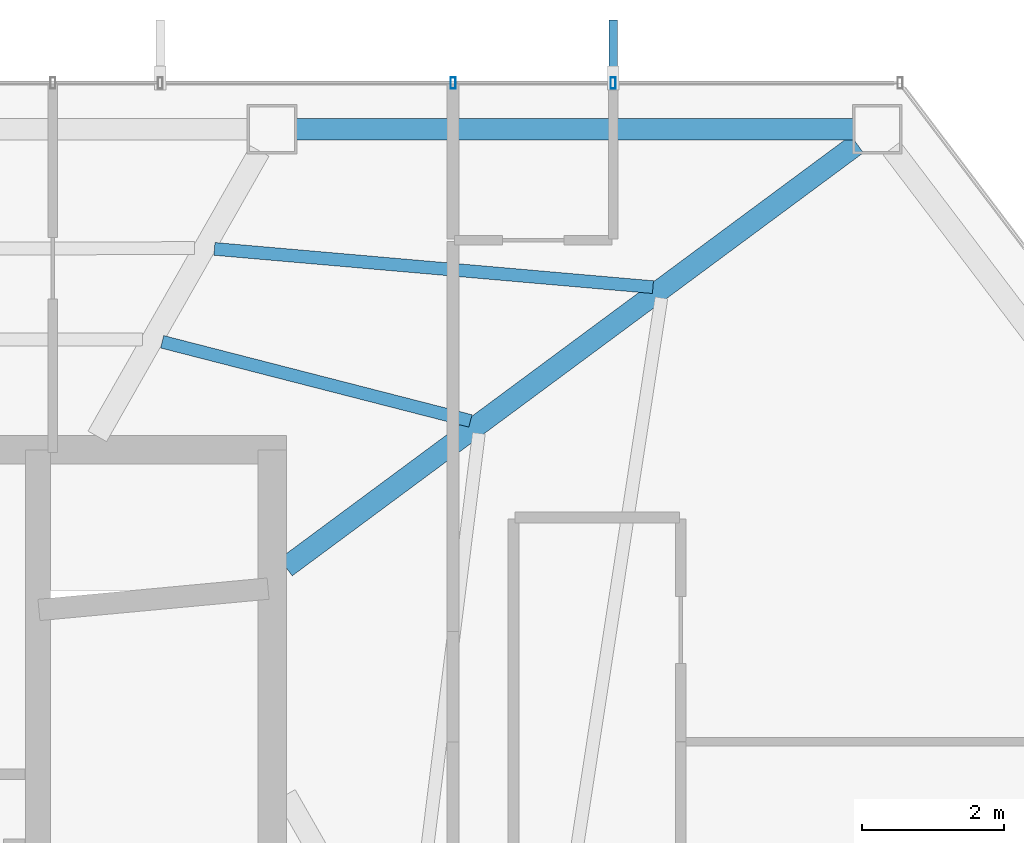
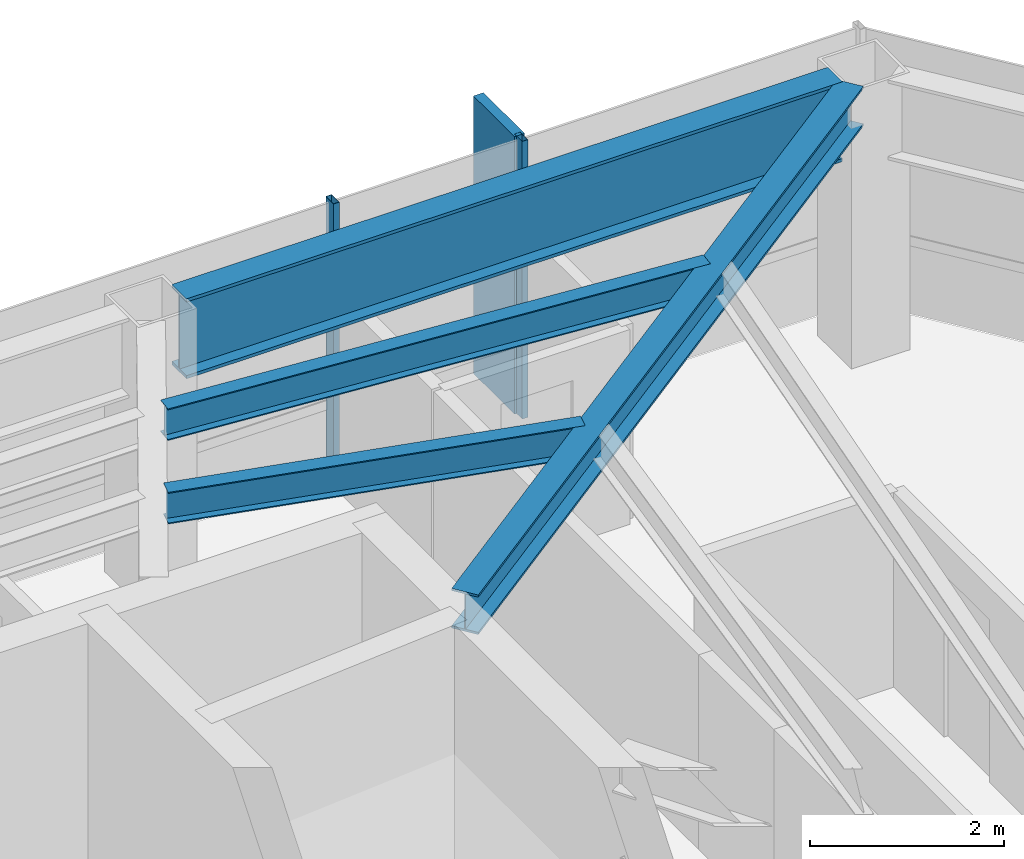
# One storey, part 22 of 28: 4 beams, 3 members, 1 element without a shape of its own.
"""IFC4 building model written with IfcOpenShell, lengths in metres."""

from ifc_helpers import new_model, si_unit, direction, frame, origin, origin_2d, place, context, subcontext, project, spatial, rectangle, hollow_rectangle, i_section, extrude, material, layer, layer_set, material_profile, profile_set, type_object, element, aggregate, save


model = new_model("IFC4")

# Units and contexts
model_context = context("Model", 3, precision=1e-05, world=origin(), true_north=direction((0.0, 1.0)))
body_context = subcontext(model_context, "Body", "Model", "MODEL_VIEW")
ifc_project = project(units=[si_unit("LENGTHUNIT", "METRE"), si_unit("AREAUNIT", "SQUARE_METRE"), si_unit("VOLUMEUNIT", "CUBIC_METRE"), si_unit("PLANEANGLEUNIT", "RADIAN"), si_unit("MASSUNIT", "GRAM", prefix="KILO")], contexts=[model_context])

# Site, building, storey
site_placement = place(None, origin())
site = spatial("IfcSite", under=ifc_project, at=site_placement, CompositionType="ELEMENT")
building_placement = place(site_placement, origin())
building = spatial("IfcBuilding", under=site, at=building_placement, Name="Zarrinselat Tower", CompositionType="ELEMENT")
storey_placement = place(building_placement, frame((0.0, 0.0, 187.0)))
storey = spatial("IfcBuildingStorey", under=building, at=storey_placement, Name="L46", CompositionType="ELEMENT", Elevation=187.0)

# Beams
ifc_material_1 = material(Name="Steel S355J2", Category="steel")
ifc_material_profile_1 = material_profile(ifc_material_1, i_section(OverallWidth=0.300048828125, OverallDepth=0.5, WebThickness=0.014404296875, FlangeThickness=0.028076171875, at=origin_2d()), Name="HEB 500")
ifc_profile_set_1 = profile_set([ifc_material_profile_1], Name="Steel S355J2")
beam_type_1 = type_object("IfcBeamType", Name="BM-HEB500", PredefinedType="BEAM", material=ifc_profile_set_1)
beam_1_placement = place(storey_placement, frame((48.449951171875, 41.800048828125, 3.25), z_axis=(0.803555028613, 0.595230473003, 0.0), x_axis=(-0.595230473003, 0.803555028613, 0.0)))
element("IfcBeam", 1, at=beam_1_placement, inside=storey, type_object=beam_type_1, Name="L46 Radial Primary Girder RG01", PredefinedType="BEAM", context=body_context, shape_type="SweptSolid", body=[
    extrude(i_section(OverallWidth=0.300048828125, OverallDepth=0.5, WebThickness=0.014404296875, FlangeThickness=0.028076171875, at=origin_2d()), origin(), (0.0, 0.0, 1.0), 9.989501953125),
])
ifc_material_2 = material(Name="Steel S460M", Category="steel")
ifc_material_profile_2 = material_profile(ifc_material_2, i_section(OverallWidth=0.302001953125, OverallDepth=1.008056640625, WebThickness=0.02099609375, FlangeThickness=0.0400390625, at=origin_2d()), Name="HEM 1000")
ifc_profile_set_2 = profile_set([ifc_material_profile_2], Name="Steel S460M")
beam_type_2 = type_object("IfcBeamType", Name="BM-HEM1000", PredefinedType="BEAM", material=ifc_profile_set_2)
beam_2_placement = place(storey_placement, frame((48.59423828125, 47.95556640625, 2.99609375), z_axis=(1.0, 0.0, 0.0), x_axis=(0.0, 1.0, 0.0)))
element("IfcBeam", 2, at=beam_2_placement, inside=storey, type_object=beam_type_2, Name="L46 Perimeter Spandrel Girder SP01", PredefinedType="BEAM", context=body_context, shape_type="SweptSolid", body=[
    extrude(i_section(OverallWidth=0.302001953125, OverallDepth=1.008056640625, WebThickness=0.02099609375, FlangeThickness=0.0400390625, at=origin_2d()), origin(), (0.0, 0.0, 1.0), 7.827880859375),
])
ifc_material_3 = material(Name="Steel S355J2", Category="steel")
ifc_material_profile_3 = material_profile(ifc_material_3, i_section(OverallWidth=0.179931640625, OverallDepth=0.39990234375, WebThickness=0.008544921875, FlangeThickness=0.013427734375, at=origin_2d()), Name="IPE 400")
ifc_profile_set_3 = profile_set([ifc_material_profile_3], Name="Steel S355J2")
beam_type_3 = type_object("IfcBeamType", Name="BM-IPE400", PredefinedType="JOIST", material=ifc_profile_set_3)
beam_3_placement = place(storey_placement, frame((47.44580078125, 46.274169921875, 3.300048828125), z_axis=(0.996216559023, -0.08690550919, 0.0), x_axis=(0.08690550919, 0.996216559023, 0.0)))
element("IfcBeam", 3, at=beam_3_placement, inside=storey, type_object=beam_type_3, Name="L46 Composite Floor Joist 6-1", PredefinedType="JOIST", context=body_context, shape_type="SweptSolid", body=[
    extrude(i_section(OverallWidth=0.179931640625, OverallDepth=0.39990234375, WebThickness=0.008544921875, FlangeThickness=0.013427734375, at=origin_2d()), origin(), (0.0, 0.0, 1.0), 6.18603515625),
])
beam_4_placement = place(storey_placement, frame((46.71142578125, 44.968505859375, 3.300048828125), z_axis=(0.968598169418, -0.248631426413, 0.0), x_axis=(0.248631426413, 0.968598169418, 0.0)))
element("IfcBeam", 4, at=beam_4_placement, inside=storey, type_object=beam_type_3, Name="L46 Composite Floor Joist 6-2", PredefinedType="JOIST", context=body_context, shape_type="SweptSolid", body=[
    extrude(i_section(OverallWidth=0.179931640625, OverallDepth=0.39990234375, WebThickness=0.008544921875, FlangeThickness=0.013427734375, at=origin_2d()), origin(), (0.0, 0.0, 1.0), 4.47265625),
])

# Curtain wall, members
ifc_material_4 = material(Name="Extruded Aluminium Alloy EN AW-6063 T6", Category="aluminium")
ifc_layer = layer(ifc_material_4, 0.175048828125)
ifc_layer_set = layer_set([ifc_layer], Name="Extruded Aluminium Alloy EN AW-6063 T6")
curtain_wall_type = type_object("IfcCurtainWallType", Name="CWS-HTL", PredefinedType="NOTDEFINED", material=ifc_layer_set)
curtain_wall_placement = place(storey_placement, origin())
curtain_wall = element("IfcCurtainWall", 5, at=curtain_wall_placement, inside=storey, type_object=curtain_wall_type, Name="L46 Unitised Curtain Wall CW-L46-E01", PredefinedType="NOTDEFINED")
ifc_material_5 = material(Name="Extruded Aluminium Alloy EN AW-6063 T6", Category="aluminium")
ifc_material_profile_4 = material_profile(ifc_material_5, hollow_rectangle(XDim=0.070068359375, YDim=0.159912109375, WallThickness=0.00390625, at=origin_2d()), Name="RHS 160x70x4")
ifc_profile_set_4 = profile_set([ifc_material_profile_4], Name="Extruded Aluminium Alloy EN AW-6063 T6")
member_type_1 = type_object("IfcMemberType", Name="MEM-CW-MUL2", PredefinedType="MULLION", material=ifc_profile_set_4)
member_1_placement = place(storey_placement, frame((53.050048828125, 48.605712890625, 0.0), z_axis=(0.0, 0.0, 1.0), x_axis=(-1.0, 0.0, 0.0)))
member_1 = element("IfcMember", 6, at=member_1_placement, type_object=member_type_1, Name="CW-L46-E01 Mullion 1", PredefinedType="MULLION", context=body_context, shape_type="SweptSolid", body=[
    extrude(hollow_rectangle(XDim=0.070068359375, YDim=0.159912109375, WallThickness=0.00390625, at=origin_2d()), origin(), (0.0, 0.0, 1.0), 3.5),
])
member_2_placement = place(storey_placement, frame((50.800048828125, 48.605712890625, 0.0), z_axis=(0.0, 0.0, 1.0), x_axis=(-1.0, 0.0, 0.0)))
member_2 = element("IfcMember", 7, at=member_2_placement, type_object=member_type_1, Name="CW-L46-E01 Mullion 2", PredefinedType="MULLION", context=body_context, shape_type="SweptSolid", body=[
    extrude(hollow_rectangle(XDim=0.070068359375, YDim=0.159912109375, WallThickness=0.00390625, at=origin_2d()), origin(), (0.0, 0.0, 1.0), 3.5),
])
ifc_material_6 = material(Name="Honed Cream Travertine Stone", Category="masonry")
ifc_material_profile_5 = material_profile(ifc_material_6, rectangle(XDim=0.1201171875, YDim=0.85009765625, at=origin_2d()), Name="FIN 850x120")
ifc_profile_set_5 = profile_set([ifc_material_profile_5], Name="Honed Cream Travertine Stone")
member_type_2 = type_object("IfcMemberType", Name="MEM-STONE-FIN", PredefinedType="USERDEFINED", material=ifc_profile_set_5)
member_3_placement = place(storey_placement, frame((53.050048828125, 49.065673828125, 0.0), z_axis=(0.0, 0.0, 1.0), x_axis=(1.0, 0.0, 0.0)))
member_3 = element("IfcMember", 8, at=member_3_placement, type_object=member_type_2, Name="L46 Stone Shading Fin CW-L46-E01-01", ObjectType="FIN", PredefinedType="USERDEFINED", context=body_context, shape_type="SweptSolid", body=[
    extrude(rectangle(XDim=0.1201171875, YDim=0.85009765625, at=origin_2d()), origin(), (0.0, 0.0, 1.0), 3.5),
])
aggregate(curtain_wall, [member_1, member_3, member_2])

save(model, "model.ifc")
